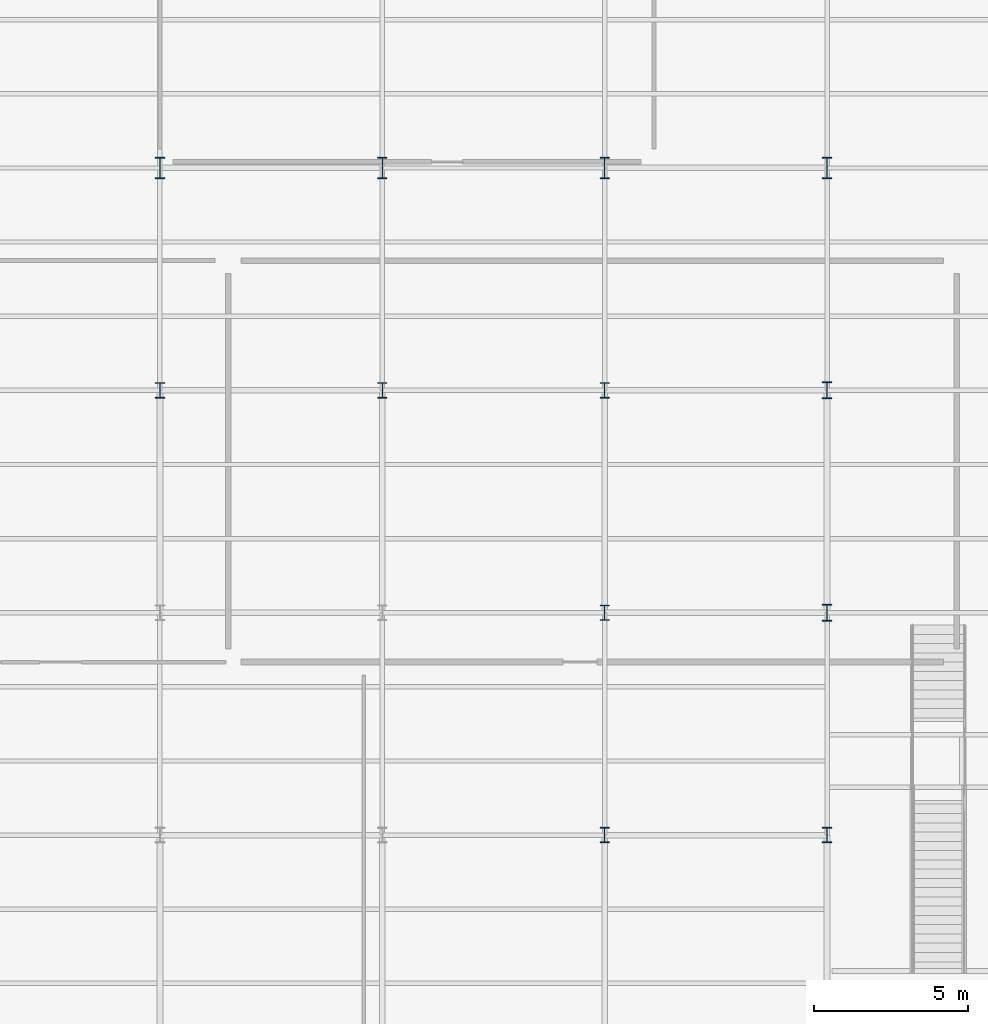
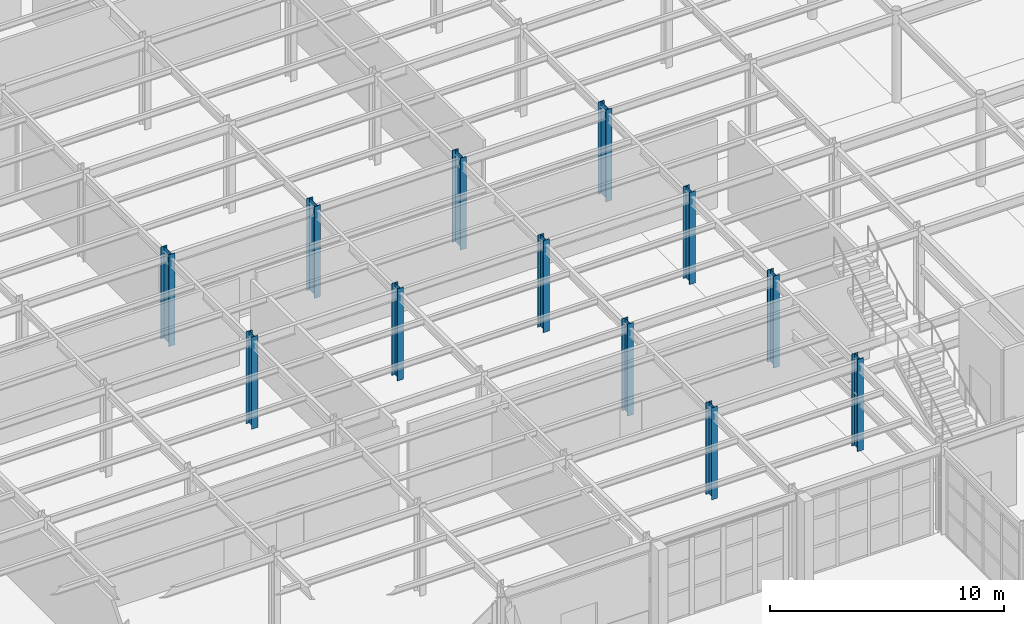
# One storey, part 9 of 83: 12 columns.
"""IFC4 building model written with IfcOpenShell, lengths in metres."""

from ifc_helpers import new_model, si_unit, direction, frame, origin, origin_2d, place, context, subcontext, project, spatial, i_section, extrude, material, material_profile, profile_set, type_object, element, save


model = new_model("IFC4")

# Units and contexts
model_context = context("Model", 3, precision=1e-05, world=origin(), true_north=direction((0.0, 1.0)))
body_context = subcontext(model_context, "Body", "Model", "MODEL_VIEW")
ifc_project = project(units=[si_unit("LENGTHUNIT", "METRE"), si_unit("AREAUNIT", "SQUARE_METRE"), si_unit("VOLUMEUNIT", "CUBIC_METRE"), si_unit("PLANEANGLEUNIT", "RADIAN"), si_unit("MASSUNIT", "GRAM", prefix="KILO")], contexts=[model_context])

# Site, building, storey
site_placement = place(None, origin())
site = spatial("IfcSite", under=ifc_project, at=site_placement, CompositionType="ELEMENT")
building_placement = place(site_placement, origin())
building = spatial("IfcBuilding", under=site, at=building_placement, Name="Solvadek Multi-Sports Hall", CompositionType="ELEMENT")
storey_placement = place(building_placement, origin())
storey = spatial("IfcBuildingStorey", under=building, at=storey_placement, Name="L00", CompositionType="ELEMENT", Elevation=0.0)

# Columns
ifc_material = material(Name="Steel E350 (350 MPa)", Category="steel")
ifc_material_profile_1 = material_profile(ifc_material, i_section(OverallWidth=0.300048828125, OverallDepth=0.5, WebThickness=0.014404296875, FlangeThickness=0.028076171875, at=origin_2d()), Name="WPB 500")
ifc_profile_set_1 = profile_set([ifc_material_profile_1], Name="Steel E350 (350 MPa)")
column_type_1 = type_object("IfcColumnType", Name="STR-COL-WPB500", PredefinedType="COLUMN", material=ifc_profile_set_1)
for number, where, z_axis, x_axis, name in (
    (1, (36.0, 70.800048828125, 0.0), (0.0, 0.0, 1.0), (1.0, 0.0, 0.0), "L00 Column C-05 #75"),
    (2, (43.199951171875, 70.800048828125, 0.0), (0.0, 0.0, 1.0), (1.0, 0.0, 0.0), "L00 Column C-05 #91"),
    (3, (50.39990234375, 56.39990234375, 0.0), (0.0, 0.0, 1.0), (1.0, 0.0, 0.0), "L00 Column C-05 #105"),
    (4, (50.39990234375, 63.60009765625, 0.0), (0.0, 0.0, 1.0), (1.0, 0.0, 0.0), "L00 Column C-05 #106"),
    (5, (50.39990234375, 70.800048828125, 0.0), (0.0, 0.0, 1.0), (1.0, 0.0, 0.0), "L00 Column C-05 #107"),
    (6, (57.60009765625, 56.39990234375, 0.0), (0.0, 0.0, 1.0), (1.0, 0.0, 0.0), "L00 Column C-05 #121"),
):
    element("IfcColumn", number, at=place(storey_placement, frame(where, z_axis=z_axis, x_axis=x_axis)), inside=storey, type_object=column_type_1, Name=name, PredefinedType="COLUMN", context=body_context, shape_type="SweptSolid", body=[
        extrude(i_section(OverallWidth=0.300048828125, OverallDepth=0.5, WebThickness=0.014404296875, FlangeThickness=0.028076171875, at=origin_2d()), origin(), (0.0, 0.0, 1.0), 4.800048828125),
    ])
ifc_material_profile_2 = material_profile(ifc_material, i_section(OverallWidth=0.300048828125, OverallDepth=0.550048828125, WebThickness=0.014892578125, FlangeThickness=0.029052734375, at=origin_2d()), Name="WPB 550")
ifc_profile_set_2 = profile_set([ifc_material_profile_2], Name="Steel E350 (350 MPa)")
column_type_2 = type_object("IfcColumnType", Name="STR-COL-WPB550", PredefinedType="COLUMN", material=ifc_profile_set_2)
for number, where, z_axis, x_axis, name in (
    (7, (57.60009765625, 63.60009765625, 0.0), (0.0, 0.0, 1.0), (1.0, 0.0, 0.0), "L00 Column C-04 #122"),
    (8, (57.60009765625, 70.800048828125, 0.0), (0.0, 0.0, 1.0), (1.0, 0.0, 0.0), "L00 Column C-04 #123"),
):
    element("IfcColumn", number, at=place(storey_placement, frame(where, z_axis=z_axis, x_axis=x_axis)), inside=storey, type_object=column_type_2, Name=name, PredefinedType="COLUMN", context=body_context, shape_type="SweptSolid", body=[
        extrude(i_section(OverallWidth=0.300048828125, OverallDepth=0.550048828125, WebThickness=0.014892578125, FlangeThickness=0.029052734375, at=origin_2d()), origin(), (0.0, 0.0, 1.0), 4.800048828125),
    ])
ifc_material_profile_3 = material_profile(ifc_material, i_section(OverallWidth=0.300048828125, OverallDepth=0.699951171875, WebThickness=0.01708984375, FlangeThickness=0.031982421875, at=origin_2d()), Name="WPB 700")
ifc_profile_set_3 = profile_set([ifc_material_profile_3], Name="Steel E350 (350 MPa)")
column_type_3 = type_object("IfcColumnType", Name="STR-COL-WPB700", PredefinedType="COLUMN", material=ifc_profile_set_3)
for number, where, z_axis, x_axis, name in (
    (9, (36.0, 78.0, 0.0), (0.0, 0.0, 1.0), (1.0, 0.0, 0.0), "L00 Column C-02 #76"),
    (10, (43.199951171875, 78.0, 0.0), (0.0, 0.0, 1.0), (1.0, 0.0, 0.0), "L00 Column C-02 #92"),
    (11, (50.39990234375, 78.0, 0.0), (0.0, 0.0, 1.0), (1.0, 0.0, 0.0), "L00 Column C-02 #108"),
    (12, (57.60009765625, 78.0, 0.0), (0.0, 0.0, 1.0), (1.0, 0.0, 0.0), "L00 Column C-02 #124"),
):
    element("IfcColumn", number, at=place(storey_placement, frame(where, z_axis=z_axis, x_axis=x_axis)), inside=storey, type_object=column_type_3, Name=name, PredefinedType="COLUMN", context=body_context, shape_type="SweptSolid", body=[
        extrude(i_section(OverallWidth=0.300048828125, OverallDepth=0.699951171875, WebThickness=0.01708984375, FlangeThickness=0.031982421875, at=origin_2d()), origin(), (0.0, 0.0, 1.0), 4.800048828125),
    ])

save(model, "model.ifc")
